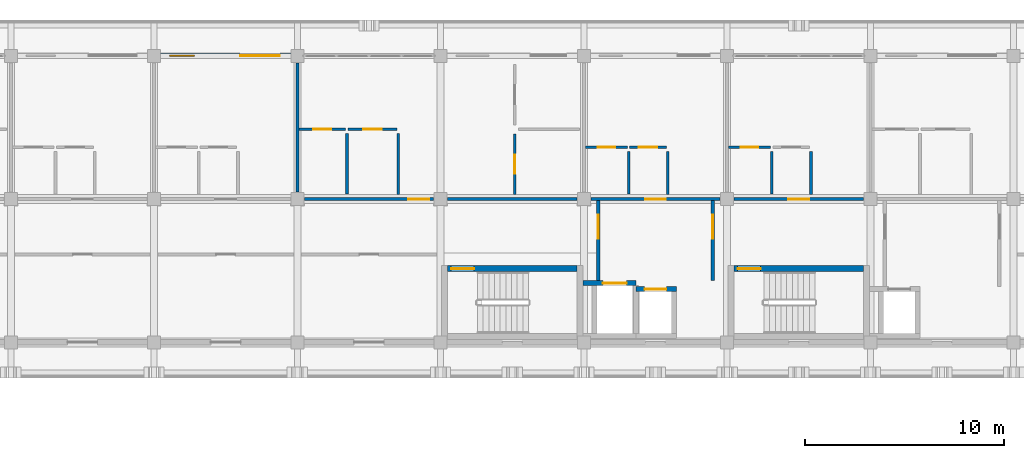
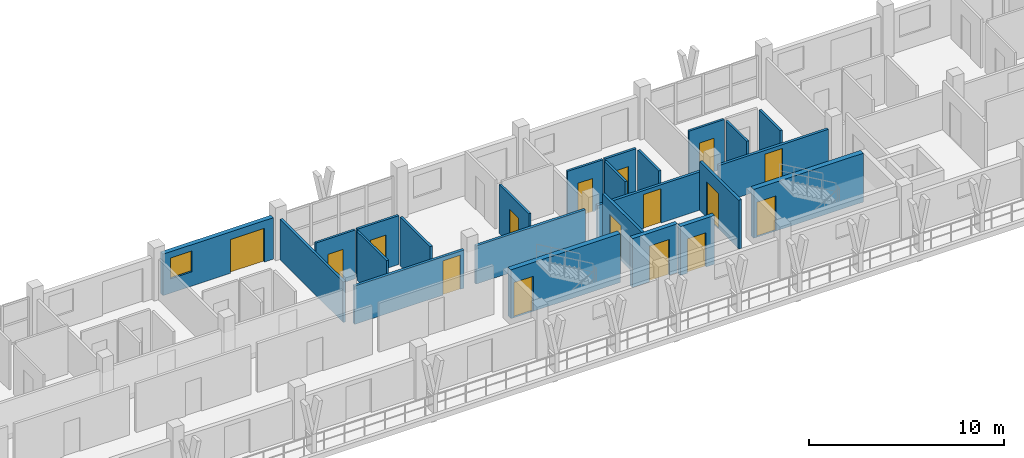
# One storey, part 44 of 75: 24 walls, 16 doors, 1 window, 17 openings.
"""IFC4 building model written with IfcOpenShell, lengths in metres."""

import ifcopenshell
import ifcopenshell.guid

model = None  # the IFC model being written
_history = None  # IfcOwnerHistory: only IFC2X3 demands one
_inside = {}  # id of a spatial element -> (the spatial element, [elements in it])
_under = {}  # id of a project, library or spatial element -> (it, [spatial elements below it])
_declared = {}  # id of a project -> (the project, [libraries it declares])
_typed = {}  # id of a type object -> (the type object, [elements of that type])
_made_of = {}  # id of a material, layer set ... -> (it, [elements and type objects made of it])


def new_model(schema):
    """Start an empty IFC model of exactly this schema.

    Asked for "IFC4X3", IfcOpenShell would pick the latest addendum, in which some entities
    have other attributes; the version numbers below select the first issue.
    IFC2X3 requires an IfcOwnerHistory on every rooted entity: one is made here for all.
    """
    global model, _history
    if schema == "IFC4X3":
        model = ifcopenshell.file(schema_version=(4, 3, 0, 0))
    else:
        model = ifcopenshell.file(schema=schema)
    _inside.clear()
    _under.clear()
    _declared.clear()
    _typed.clear()
    _made_of.clear()
    _history = None
    if model.schema == "IFC2X3":
        org = make("IfcOrganization", Name="unknown")
        user = make(
            "IfcPersonAndOrganization",
            ThePerson=make("IfcPerson", FamilyName="unknown"),
            TheOrganization=org,
        )
        app = make(
            "IfcApplication",
            ApplicationDeveloper=org,
            Version="unknown",
            ApplicationFullName="unknown",
            ApplicationIdentifier="unknown",
        )
        _history = make(
            "IfcOwnerHistory",
            OwningUser=user,
            OwningApplication=app,
            ChangeAction="ADDED",
            CreationDate=0,
        )
    return model


def make(cls, **values):
    """One entity of the class cls with the attributes given. An attribute that is None is left unset."""
    return model.create_entity(
        cls, **{name: value for name, value in values.items() if value is not None}
    )


def rooted(cls, **values):
    """An entity with a GlobalId (a new one), such as an element, a storey or a relation."""
    return make(cls, GlobalId=ifcopenshell.guid.new(), OwnerHistory=_history, **values)


def si_unit(unit_type, name, prefix=None):
    """IfcSIUnit, for example si_unit("LENGTHUNIT", "METRE", prefix="MILLI")."""
    return make("IfcSIUnit", UnitType=unit_type, Prefix=prefix, Name=name)


def assignment(units):
    """IfcUnitAssignment: the units of a project."""
    return None if units is None else make("IfcUnitAssignment", Units=units)


def point(xyz):
    """IfcCartesianPoint."""
    return None if xyz is None else make("IfcCartesianPoint", Coordinates=xyz)


def direction(xyz):
    """IfcDirection."""
    return None if xyz is None else make("IfcDirection", DirectionRatios=xyz)


def frame(location, z_axis=None, x_axis=None):
    """IfcAxis2Placement3D, a coordinate frame: its origin and axes. An axis left out is left unset."""
    return make(
        "IfcAxis2Placement3D",
        Location=point(location),
        Axis=direction(z_axis),
        RefDirection=direction(x_axis),
    )


def frame_2d(location, x_axis=None):
    """IfcAxis2Placement2D, a coordinate frame in the plane: its origin and x axis."""
    return make(
        "IfcAxis2Placement2D", Location=point(location), RefDirection=direction(x_axis)
    )


def origin():
    """The frame at (0, 0, 0) with its axes left unset."""
    return frame((0.0, 0.0, 0.0))


def place(relative_to, where):
    """IfcLocalPlacement: puts the frame where relative to a parent placement (None: the world)."""
    return make(
        "IfcLocalPlacement", PlacementRelTo=relative_to, RelativePlacement=where
    )


def context(
    kind, dimensions, precision=None, world=None, true_north=None, identifier=None
):
    """IfcGeometricRepresentationContext, for example the 3D "Model" context."""
    return make(
        "IfcGeometricRepresentationContext",
        ContextIdentifier=identifier,
        ContextType=kind,
        CoordinateSpaceDimension=dimensions,
        Precision=precision,
        WorldCoordinateSystem=world,
        TrueNorth=true_north,
    )


def subcontext(parent, identifier, kind, view, scale=None):
    """IfcGeometricRepresentationSubContext, for example "Body" below "Model"."""
    return make(
        "IfcGeometricRepresentationSubContext",
        ContextIdentifier=identifier,
        ContextType=kind,
        ParentContext=parent,
        TargetScale=scale,
        TargetView=view,
    )


def project(units=None, contexts=None):
    """IfcProject with its units and contexts."""
    return rooted(
        "IfcProject",
        Name="project",
        RepresentationContexts=contexts,
        UnitsInContext=assignment(units),
    )


def spatial(cls, under=None, at=None, **own):
    """A site, building, storey or space (cls), placed at a placement, below another one or the project."""
    s = rooted(cls, ObjectPlacement=at, **own)
    if under is not None:
        _under.setdefault(under.id(), (under, []))[1].append(s)
    return s


def profile(cls, at=None, kind="AREA", **sizes):
    """A parametric profile (cls). Its sizes go by their IFC names, for example OverallWidth=200.0."""
    return make(cls, ProfileType=kind, Position=at, **sizes)


def rectangle(**sizes):
    """IfcRectangleProfileDef."""
    return profile("IfcRectangleProfileDef", **sizes)


def extrude(swept, where, along, depth):
    """IfcExtrudedAreaSolid: the profile swept, set in the frame where, extruded along a direction by depth."""
    return make(
        "IfcExtrudedAreaSolid",
        SweptArea=swept,
        Position=where,
        ExtrudedDirection=direction(along),
        Depth=depth,
    )


def shape(context_of_items, identifier, shape_type, items):
    """IfcShapeRepresentation: the items that make up one representation, for example the "Body"."""
    return make(
        "IfcShapeRepresentation",
        ContextOfItems=context_of_items,
        RepresentationIdentifier=identifier,
        RepresentationType=shape_type,
        Items=items,
    )


def material(Name=None, Category=None):
    """IfcMaterial."""
    return make("IfcMaterial", Name=Name, Category=Category)


def layer(
    of_material, thickness, ventilated=None, Name=None, Category=None, Priority=None
):
    """IfcMaterialLayer: one layer of a wall or slab, of a material (None: an air gap)."""
    return make(
        "IfcMaterialLayer",
        Material=of_material,
        LayerThickness=thickness,
        IsVentilated=ventilated,
        Name=Name,
        Category=Category,
        Priority=Priority,
    )


def layer_set(layers, Name=None):
    """IfcMaterialLayerSet."""
    return make("IfcMaterialLayerSet", MaterialLayers=layers, LayerSetName=Name)


def made_of(thing, what):
    """Note that an element or type object is made of a material, layer set ...; save() writes the relation."""
    if what is not None:
        _made_of.setdefault(what.id(), (what, []))[1].append(thing)
    return thing


def type_object(cls, material=None, **own):
    """A type object (cls), such as IfcWallType, which elements share."""
    return made_of(rooted(cls, **own), material)


def element(
    cls,
    number,
    at=None,
    inside=None,
    cuts=None,
    type_object=None,
    material=None,
    context=None,
    identifier="Body",
    shape_type=None,
    held_by="IfcProductDefinitionShape",
    body=None,
    shapes=None,
    **own,
):
    """One element of the class cls, such as IfcWall. Its Tag is "e" and its number.

    at: its placement. inside: the storey or other place that contains it. cuts: it is an
    opening in that element (IfcRelVoidsElement). A single representation is given by context,
    identifier, shape_type and body (its items); several are given by shapes. held_by: the class
    of the entity that holds the representations. save() writes the other relations.
    """
    e = rooted(cls, Tag="e%d" % number, ObjectPlacement=at, **own)
    if body is not None:
        shapes = [shape(context, identifier, shape_type, body)]
    if shapes is not None:
        e.Representation = make(held_by, Representations=shapes)
    if inside is not None:
        _inside.setdefault(inside.id(), (inside, []))[1].append(e)
    if cuts is not None:
        rooted(
            "IfcRelVoidsElement", RelatingBuildingElement=cuts, RelatedOpeningElement=e
        )
    if type_object is not None:
        _typed.setdefault(type_object.id(), (type_object, []))[1].append(e)
    return made_of(e, material)


def fill(opening, filler):
    """IfcRelFillsElement: the door or window that sits in an opening."""
    return rooted(
        "IfcRelFillsElement",
        RelatingOpeningElement=opening,
        RelatedBuildingElement=filler,
    )


def aggregate(whole, parts):
    """IfcRelAggregates: a whole, such as a stair, and the parts it consists of."""
    return rooted("IfcRelAggregates", RelatingObject=whole, RelatedObjects=parts)


def save(model, path):
    """Write the relations noted so far, then the file.

    IfcRelAggregates (storeys below a building ...), IfcRelContainedInSpatialStructure (elements
    in a storey), IfcRelDefinesByType, IfcRelAssociatesMaterial and IfcRelDeclares: one each for
    every whole, place, type object, material and project.
    """
    for whole, parts in _under.values():
        aggregate(whole, parts)
    for where, things in _inside.values():
        rooted(
            "IfcRelContainedInSpatialStructure",
            RelatedElements=things,
            RelatingStructure=where,
        )
    for kind, things in _typed.values():
        rooted("IfcRelDefinesByType", RelatedObjects=things, RelatingType=kind)
    for what, things in _made_of.values():
        rooted("IfcRelAssociatesMaterial", RelatedObjects=things, RelatingMaterial=what)
    for by, libraries in _declared.values():
        rooted("IfcRelDeclares", RelatingContext=by, RelatedDefinitions=libraries)
    model.write(path)


model = new_model("IFC4")

# Units and contexts
model_context = context("Model", 3, precision=1e-05, world=origin(), true_north=direction((0.0, 1.0)))
body_context = subcontext(model_context, "Body", "Model", "MODEL_VIEW")
ifc_project = project(units=[si_unit("LENGTHUNIT", "METRE"), si_unit("AREAUNIT", "SQUARE_METRE"), si_unit("VOLUMEUNIT", "CUBIC_METRE"), si_unit("PLANEANGLEUNIT", "RADIAN"), si_unit("MASSUNIT", "GRAM", prefix="KILO")], contexts=[model_context])

# Site, building, storey
site_placement = place(None, origin())
site = spatial("IfcSite", under=ifc_project, at=site_placement, CompositionType="ELEMENT")
building_placement = place(site_placement, origin())
building = spatial("IfcBuilding", under=site, at=building_placement, Name="Suanplinth Sawtooth Commons", CompositionType="ELEMENT")
storey_placement = place(building_placement, frame((0.0, 0.0, 18.60009765625)))
storey = spatial("IfcBuildingStorey", under=building, at=storey_placement, Name="L05", CompositionType="ELEMENT", Elevation=18.60009765625)

# Wall, opening, door
ifc_material_1 = material(Name="Concrete C40/50", Category="concrete")
ifc_layer_1 = layer(ifc_material_1, 0.300048828125, Name="Standard RC stair and lift core wall 300mm")
ifc_layer_set_1 = layer_set([ifc_layer_1], Name="Concrete C40/50")
wall_type_1 = type_object("IfcWallType", Name="W-CR02", PredefinedType="SHEAR", material=ifc_layer_set_1)
wall_1_placement = place(storey_placement, frame((43.550048828125, 111.699951171875, 0.0), z_axis=(0.0, 0.0, 1.0), x_axis=(1.0, 0.0, 0.0)))
wall_1 = element("IfcWall", 1, at=wall_1_placement, inside=storey, type_object=wall_type_1, Name="W-L05-C-A1-STN", PredefinedType="SHEAR", context=body_context, shape_type="SweptSolid", body=[
    extrude(rectangle(XDim=6.5, YDim=0.300048828125, at=frame_2d((3.25, 0.0))), origin(), (0.0, 0.0, 1.0), 3.059814453125),
])
opening_1_placement = place(wall_1_placement, frame((0.179931640625, 0.0, 0.0)))
opening_1 = element("IfcOpeningElement", 2, at=opening_1_placement, cuts=wall_1, Name="Opening FD0031", PredefinedType="OPENING", context=body_context, shape_type="SweptSolid", body=[
    extrude(rectangle(XDim=1.14990234375, YDim=2.199951171875, at=frame_2d((0.574951171875, 1.10009765625))), frame((0.0, 0.1650390625, 0.0), z_axis=(0.0, -1.0, 0.0), x_axis=(1.0, 0.0, 0.0)), (0.0, 0.0, 1.0), 0.329833984375),
])
ifc_material_2 = material(Name="Teak hardwood fire-rated door assembly", Category="wood")
door_type_1 = type_object("IfcDoorType", Name="FD-01", OperationType="NOTDEFINED", PredefinedType="DOOR", material=ifc_material_2)
door_1_placement = place(opening_1_placement, frame((1.14990234375, 0.0, 0.0), z_axis=(0.0, 0.0, 1.0), x_axis=(-1.0, 0.0, 0.0)))
door_1 = element("IfcDoor", 3, at=door_1_placement, inside=storey, type_object=door_type_1, Name="Exit Stair Fire Door FD0031", OperationType="SINGLE_SWING_RIGHT", OverallHeight=2.199951171875, OverallWidth=1.14990234375, PredefinedType="DOOR", context=body_context, shape_type="SweptSolid", body=[
    extrude(rectangle(XDim=1.14990234375, YDim=2.199951171875, at=frame_2d((0.574951171875, 1.10009765625))), frame((0.0, 0.02490234375, 0.0), z_axis=(0.0, -1.0, 0.0), x_axis=(1.0, 0.0, 0.0)), (0.0, 0.0, 1.0), 0.050048828125),
])
fill(opening_1, door_1)

wall_2_placement = place(storey_placement, frame((57.949951171875, 111.699951171875, 0.0), z_axis=(0.0, 0.0, 1.0), x_axis=(1.0, 0.0, 0.0)))
wall_2 = element("IfcWall", 4, at=wall_2_placement, inside=storey, type_object=wall_type_1, Name="W-L05-C-A2-STN", PredefinedType="SHEAR", context=body_context, shape_type="SweptSolid", body=[
    extrude(rectangle(XDim=6.5, YDim=0.300048828125, at=frame_2d((3.25, 0.0))), origin(), (0.0, 0.0, 1.0), 3.059814453125),
])
opening_2_placement = place(wall_2_placement, frame((0.179931640625, 0.0, 0.0)))
opening_2 = element("IfcOpeningElement", 5, at=opening_2_placement, cuts=wall_2, Name="Opening FD0110", PredefinedType="OPENING", context=body_context, shape_type="SweptSolid", body=[
    extrude(rectangle(XDim=1.14990234375, YDim=2.199951171875, at=frame_2d((0.574951171875, 1.10009765625))), frame((0.0, 0.1650390625, 0.0), z_axis=(0.0, -1.0, 0.0), x_axis=(1.0, 0.0, 0.0)), (0.0, 0.0, 1.0), 0.329833984375),
])
door_2_placement = place(opening_2_placement, frame((1.14990234375, 0.0, 0.0), z_axis=(0.0, 0.0, 1.0), x_axis=(-1.0, 0.0, 0.0)))
door_2 = element("IfcDoor", 6, at=door_2_placement, inside=storey, type_object=door_type_1, Name="Exit Stair Fire Door FD0110", OperationType="SINGLE_SWING_LEFT", OverallHeight=2.199951171875, OverallWidth=1.14990234375, PredefinedType="DOOR", context=body_context, shape_type="SweptSolid", body=[
    extrude(rectangle(XDim=1.14990234375, YDim=2.199951171875, at=frame_2d((0.574951171875, 1.10009765625))), frame((0.0, 0.02490234375, 0.0), z_axis=(0.0, -1.0, 0.0), x_axis=(1.0, 0.0, 0.0)), (0.0, 0.0, 1.0), 0.050048828125),
])
fill(opening_2, door_2)

# Wall, openings, door, window
ifc_material_3 = material(Name="Precast concrete C40/50", Category="concrete")
ifc_layer_2 = layer(ifc_material_3, 0.260009765625, Name="Insulated precast courtyard facade wall 260mm")
ifc_layer_set_2 = layer_set([ifc_layer_2], Name="Precast concrete C40/50")
wall_type_2 = type_object("IfcWallType", Name="W-EX02", PredefinedType="ELEMENTEDWALL", material=ifc_layer_set_2)
wall_3_placement = place(storey_placement, frame((29.125, 122.39990234375, 0.0), z_axis=(0.0, 0.0, 1.0), x_axis=(1.0, 0.0, 0.0)))
wall_3 = element("IfcWall", 7, at=wall_3_placement, inside=storey, type_object=wall_type_2, Name="Facade Wall W-L05-A-N-4", PredefinedType="ELEMENTEDWALL", context=body_context, shape_type="SweptSolid", body=[
    extrude(rectangle(XDim=6.550048828125, YDim=0.260009765625, at=frame_2d((3.27490234375, 0.0))), origin(), (0.0, 0.0, 1.0), 2.594970703125),
])
opening_3_placement = place(wall_3_placement, frame((4.0, 0.0, 0.0)))
opening_3 = element("IfcOpeningElement", 8, at=opening_3_placement, cuts=wall_3, Name="Opening ED0402", PredefinedType="OPENING", context=body_context, shape_type="SweptSolid", body=[
    extrude(rectangle(XDim=2.0, YDim=2.1201171875, at=frame_2d((1.0, 1.06005859375))), frame((0.0, 0.14501953125, 0.0), z_axis=(0.0, -1.0, 0.0), x_axis=(1.0, 0.0, 0.0)), (0.0, 0.0, 1.0), 0.289794921875),
])
opening_4_placement = place(wall_3_placement, frame((0.449951171875, 0.0, 0.89990234375)))
opening_4 = element("IfcOpeningElement", 9, at=opening_4_placement, cuts=wall_3, Name="Opening W0495", PredefinedType="OPENING", context=body_context, shape_type="SweptSolid", body=[
    extrude(rectangle(XDim=1.25, YDim=1.300048828125, at=frame_2d((0.625, 0.64990234375))), frame((0.0, 0.14501953125, 0.0), z_axis=(0.0, -1.0, 0.0), x_axis=(1.0, 0.0, 0.0)), (0.0, 0.0, 1.0), 0.289794921875),
])
ifc_material_4 = material(Name="Anodized aluminium and low-E glass", Category="aluminium")
door_type_2 = type_object("IfcDoorType", Name="SD-06", OperationType="DOUBLE_DOOR_SLIDING", PredefinedType="DOOR", material=ifc_material_4)
door_3_placement = place(opening_3_placement, frame((2.0, 0.0, 0.0), z_axis=(0.0, 0.0, 1.0), x_axis=(-1.0, 0.0, 0.0)))
door_3 = element("IfcDoor", 10, at=door_3_placement, inside=storey, type_object=door_type_2, Name="Balcony Sliding Door L05-A-N-4", OperationType="DOUBLE_DOOR_SLIDING", OverallHeight=2.1201171875, OverallWidth=2.0, PredefinedType="DOOR", context=body_context, shape_type="SweptSolid", body=[
    extrude(rectangle(XDim=2.0, YDim=2.1201171875, at=frame_2d((1.0, 1.06005859375))), frame((0.0, 0.02490234375, 0.0), z_axis=(0.0, -1.0, 0.0), x_axis=(1.0, 0.0, 0.0)), (0.0, 0.0, 1.0), 0.050048828125),
])
fill(opening_3, door_3)
ifc_material_5 = material(Name="Thermally broken aluminium and low-E double glazing", Category="aluminium")
window_type = type_object("IfcWindowType", Name="WN-17", PartitioningType="SINGLE_PANEL", PredefinedType="WINDOW", material=ifc_material_5)
window_placement = place(opening_4_placement, origin())
window = element("IfcWindow", 11, at=window_placement, inside=storey, type_object=window_type, Name="Window L05-A-N-4", OverallHeight=1.300048828125, OverallWidth=1.25, PartitioningType="SINGLE_PANEL", PredefinedType="WINDOW", context=body_context, shape_type="SweptSolid", body=[
    extrude(rectangle(XDim=1.25, YDim=1.300048828125, at=frame_2d((0.625, 0.64990234375))), frame((0.0, 0.030029296875, 0.0), z_axis=(0.0, -1.0, 0.0), x_axis=(1.0, 0.0, 0.0)), (0.0, 0.0, 1.0), 0.06005859375),
])
fill(opening_4, window)

# Wall, opening, door
ifc_layer_3 = layer(ifc_material_3, 0.159912109375, Name="Fire-rated corridor and lobby wall 160mm")
ifc_layer_set_3 = layer_set([ifc_layer_3], Name="Precast concrete C40/50")
wall_type_3 = type_object("IfcWallType", Name="W-FW01", PredefinedType="PARTITIONING", material=ifc_layer_set_3)
wall_4_placement = place(storey_placement, frame((51.1201171875, 111.10009765625, 0.0), z_axis=(0.0, 0.0, 1.0), x_axis=(0.0, 1.0, 0.0)))
wall_4 = element("IfcWall", 12, at=wall_4_placement, inside=storey, type_object=wall_type_3, Name="W-L05-C-A1-LOB-W", PredefinedType="PARTITIONING", context=body_context, shape_type="SweptSolid", body=[
    extrude(rectangle(XDim=4.02001953125, YDim=0.159912109375, at=frame_2d((2.010009765625, 0.0))), origin(), (0.0, 0.0, 1.0), 3.059814453125),
])
opening_5_placement = place(wall_4_placement, frame((2.10009765625, 0.0, 0.0)))
opening_5 = element("IfcOpeningElement", 13, at=opening_5_placement, cuts=wall_4, Name="Opening FD0032", PredefinedType="OPENING", context=body_context, shape_type="SweptSolid", body=[
    extrude(rectangle(XDim=1.199951171875, YDim=2.199951171875, at=frame_2d((0.60009765625, 1.10009765625))), frame((0.0, 0.0947265625, 0.0), z_axis=(0.0, -1.0, 0.0), x_axis=(1.0, 0.0, 0.0)), (0.0, 0.0, 1.0), 0.189697265625),
])
door_type_3 = type_object("IfcDoorType", Name="FD-02", OperationType="NOTDEFINED", PredefinedType="DOOR", material=ifc_material_2)
door_4_placement = place(opening_5_placement, origin())
door_4 = element("IfcDoor", 14, at=door_4_placement, inside=storey, type_object=door_type_3, Name="Lobby Fire Door FD0032", OperationType="SINGLE_SWING_LEFT", OverallHeight=2.199951171875, OverallWidth=1.199951171875, PredefinedType="DOOR", context=body_context, shape_type="SweptSolid", body=[
    extrude(rectangle(XDim=1.199951171875, YDim=2.199951171875, at=frame_2d((0.60009765625, 1.10009765625))), frame((0.0, 0.02490234375, 0.0), z_axis=(0.0, -1.0, 0.0), x_axis=(1.0, 0.0, 0.0)), (0.0, 0.0, 1.0), 0.050048828125),
])
fill(opening_5, door_4)

wall_5_placement = place(storey_placement, frame((56.8798828125, 111.10009765625, 0.0), z_axis=(0.0, 0.0, 1.0), x_axis=(0.0, 1.0, 0.0)))
wall_5 = element("IfcWall", 15, at=wall_5_placement, inside=storey, type_object=wall_type_3, Name="W-L05-C-A1-LOB-E", PredefinedType="PARTITIONING", context=body_context, shape_type="SweptSolid", body=[
    extrude(rectangle(XDim=4.02001953125, YDim=0.159912109375, at=frame_2d((2.010009765625, 0.0))), origin(), (0.0, 0.0, 1.0), 3.059814453125),
])
opening_6_placement = place(wall_5_placement, frame((2.10009765625, 0.0, 0.0)))
opening_6 = element("IfcOpeningElement", 16, at=opening_6_placement, cuts=wall_5, Name="Opening FD0033", PredefinedType="OPENING", context=body_context, shape_type="SweptSolid", body=[
    extrude(rectangle(XDim=1.199951171875, YDim=2.199951171875, at=frame_2d((0.60009765625, 1.10009765625))), frame((0.0, 0.0947265625, 0.0), z_axis=(0.0, -1.0, 0.0), x_axis=(1.0, 0.0, 0.0)), (0.0, 0.0, 1.0), 0.189697265625),
])
door_5_placement = place(opening_6_placement, frame((1.199951171875, 0.0, 0.0), z_axis=(0.0, 0.0, 1.0), x_axis=(-1.0, 0.0, 0.0)))
door_5 = element("IfcDoor", 17, at=door_5_placement, inside=storey, type_object=door_type_3, Name="Lobby Fire Door FD0033", OperationType="SINGLE_SWING_RIGHT", OverallHeight=2.199951171875, OverallWidth=1.199951171875, PredefinedType="DOOR", context=body_context, shape_type="SweptSolid", body=[
    extrude(rectangle(XDim=1.199951171875, YDim=2.199951171875, at=frame_2d((0.60009765625, 1.10009765625))), frame((0.0, 0.02490234375, 0.0), z_axis=(0.0, -1.0, 0.0), x_axis=(1.0, 0.0, 0.0)), (0.0, 0.0, 1.0), 0.050048828125),
])
fill(opening_6, door_5)

wall_6_placement = place(storey_placement, frame((36.35498046875, 115.199951171875, 0.0), z_axis=(0.0, 0.0, 1.0), x_axis=(1.0, 0.0, 0.0)))
wall_6 = element("IfcWall", 18, at=wall_6_placement, inside=storey, type_object=wall_type_3, Name="W-A-L05-U04-COR-S1", PredefinedType="PARTITIONING", context=body_context, shape_type="SweptSolid", body=[
    extrude(rectangle(XDim=6.489990234375, YDim=0.159912109375, at=frame_2d((3.2451171875, 0.0))), origin(), (0.0, 0.0, 1.0), 2.39501953125),
])
opening_7_placement = place(wall_6_placement, frame((5.219970703125, 0.0, 0.0)))
opening_7 = element("IfcOpeningElement", 19, at=opening_7_placement, cuts=wall_6, Name="Opening FD1208", PredefinedType="OPENING", context=body_context, shape_type="SweptSolid", body=[
    extrude(rectangle(XDim=1.050048828125, YDim=2.14990234375, at=frame_2d((0.52490234375, 1.074951171875))), frame((0.0, 0.0947265625, 0.0), z_axis=(0.0, -1.0, 0.0), x_axis=(1.0, 0.0, 0.0)), (0.0, 0.0, 1.0), 0.189697265625),
])
door_type_4 = type_object("IfcDoorType", Name="FD-04", OperationType="NOTDEFINED", PredefinedType="DOOR", material=ifc_material_2)
door_6_placement = place(opening_7_placement, origin())
door_6 = element("IfcDoor", 20, at=door_6_placement, inside=storey, type_object=door_type_4, Name="Unit Entrance Door FD1208", OperationType="SINGLE_SWING_RIGHT", OverallHeight=2.14990234375, OverallWidth=1.050048828125, PredefinedType="DOOR", context=body_context, shape_type="SweptSolid", body=[
    extrude(rectangle(XDim=1.050048828125, YDim=2.14990234375, at=frame_2d((0.52490234375, 1.074951171875))), frame((0.0, 0.02490234375, 0.0), z_axis=(0.0, -1.0, 0.0), x_axis=(1.0, 0.0, 0.0)), (0.0, 0.0, 1.0), 0.050048828125),
])
fill(opening_7, door_6)

# Wall
wall_7_placement = place(storey_placement, frame((43.554931640625, 115.199951171875, 0.0), z_axis=(0.0, 0.0, 1.0), x_axis=(1.0, 0.0, 0.0)))
element("IfcWall", 21, at=wall_7_placement, inside=storey, type_object=wall_type_3, Name="W-A-L05-U04-COR-S2", PredefinedType="PARTITIONING", context=body_context, shape_type="SweptSolid", body=[
    extrude(rectangle(XDim=6.489990234375, YDim=0.159912109375, at=frame_2d((3.2451171875, 0.0))), origin(), (0.0, 0.0, 1.0), 2.39501953125),
])

# Wall, opening, door
wall_8_placement = place(storey_placement, frame((50.7548828125, 115.199951171875, 0.0), z_axis=(0.0, 0.0, 1.0), x_axis=(1.0, 0.0, 0.0)))
wall_8 = element("IfcWall", 22, at=wall_8_placement, inside=storey, type_object=wall_type_3, Name="W-A-L05-U05-COR", PredefinedType="PARTITIONING", context=body_context, shape_type="SweptSolid", body=[
    extrude(rectangle(XDim=6.490234375, YDim=0.159912109375, at=frame_2d((3.2451171875, 0.0))), origin(), (0.0, 0.0, 1.0), 2.39501953125),
])
opening_8_placement = place(wall_8_placement, frame((2.719970703125, 0.0, 0.0)))
opening_8 = element("IfcOpeningElement", 23, at=opening_8_placement, cuts=wall_8, Name="Opening FD1213", PredefinedType="OPENING", context=body_context, shape_type="SweptSolid", body=[
    extrude(rectangle(XDim=1.050048828125, YDim=2.14990234375, at=frame_2d((0.52490234375, 1.074951171875))), frame((0.0, 0.0947265625, 0.0), z_axis=(0.0, -1.0, 0.0), x_axis=(1.0, 0.0, 0.0)), (0.0, 0.0, 1.0), 0.189697265625),
])
door_7_placement = place(opening_8_placement, origin())
door_7 = element("IfcDoor", 24, at=door_7_placement, inside=storey, type_object=door_type_4, Name="Unit Entrance Door FD1213", OperationType="SINGLE_SWING_LEFT", OverallHeight=2.14990234375, OverallWidth=1.050048828125, PredefinedType="DOOR", context=body_context, shape_type="SweptSolid", body=[
    extrude(rectangle(XDim=1.050048828125, YDim=2.14990234375, at=frame_2d((0.52490234375, 1.074951171875))), frame((0.0, 0.02490234375, 0.0), z_axis=(0.0, -1.0, 0.0), x_axis=(1.0, 0.0, 0.0)), (0.0, 0.0, 1.0), 0.050048828125),
])
fill(opening_8, door_7)

wall_9_placement = place(storey_placement, frame((57.955078125, 115.199951171875, 0.0), z_axis=(0.0, 0.0, 1.0), x_axis=(1.0, 0.0, 0.0)))
wall_9 = element("IfcWall", 25, at=wall_9_placement, inside=storey, type_object=wall_type_3, Name="W-A-L05-U06-COR", PredefinedType="PARTITIONING", context=body_context, shape_type="SweptSolid", body=[
    extrude(rectangle(XDim=6.489990234375, YDim=0.159912109375, at=frame_2d((3.2451171875, 0.0))), origin(), (0.0, 0.0, 1.0), 2.39501953125),
])
opening_9_placement = place(wall_9_placement, frame((2.719970703125, 0.0, 0.0)))
opening_9 = element("IfcOpeningElement", 26, at=opening_9_placement, cuts=wall_9, Name="Opening FD1216", PredefinedType="OPENING", context=body_context, shape_type="SweptSolid", body=[
    extrude(rectangle(XDim=1.050048828125, YDim=2.14990234375, at=frame_2d((0.52490234375, 1.074951171875))), frame((0.0, 0.0947265625, 0.0), z_axis=(0.0, -1.0, 0.0), x_axis=(1.0, 0.0, 0.0)), (0.0, 0.0, 1.0), 0.189697265625),
])
door_8_placement = place(opening_9_placement, origin())
door_8 = element("IfcDoor", 27, at=door_8_placement, inside=storey, type_object=door_type_4, Name="Unit Entrance Door FD1216", OperationType="SINGLE_SWING_RIGHT", OverallHeight=2.14990234375, OverallWidth=1.050048828125, PredefinedType="DOOR", context=body_context, shape_type="SweptSolid", body=[
    extrude(rectangle(XDim=1.050048828125, YDim=2.14990234375, at=frame_2d((0.52490234375, 1.074951171875))), frame((0.0, 0.02490234375, 0.0), z_axis=(0.0, -1.0, 0.0), x_axis=(1.0, 0.0, 0.0)), (0.0, 0.0, 1.0), 0.050048828125),
])
fill(opening_9, door_8)

# Wall
ifc_layer_4 = layer(ifc_material_3, 0.14990234375, Name="Acoustic precast party demising wall 150mm")
ifc_layer_set_4 = layer_set([ifc_layer_4], Name="Precast concrete C40/50")
wall_type_4 = type_object("IfcWallType", Name="W-FW02", PredefinedType="PARTITIONING", material=ifc_layer_set_4)
wall_10_placement = place(storey_placement, frame((36.0, 115.554931640625, 0.0), z_axis=(0.0, 0.0, 1.0), x_axis=(0.0, 1.0, 0.0)))
element("IfcWall", 28, at=wall_10_placement, inside=storey, type_object=wall_type_4, Name="W-A-L05-U03-PTY", PredefinedType="PARTITIONING", context=body_context, shape_type="SweptSolid", body=[
    extrude(rectangle(XDim=6.489990234375, YDim=0.14990234375, at=frame_2d((3.2451171875, 0.0))), origin(), (0.0, 0.0, 1.0), 2.544921875),
])

# Wall, opening, door
ifc_material_6 = material(Name="Gypsum plasterboard on steel stud", Category="steel")
ifc_layer_5 = layer(ifc_material_6, 0.139892578125, Name="Fire-rated kitchen partition 140mm")
ifc_layer_set_5 = layer_set([ifc_layer_5], Name="Gypsum plasterboard on steel stud")
wall_type_5 = type_object("IfcWallType", Name="W-PT01", PredefinedType="PARTITIONING", material=ifc_layer_set_5)
wall_11_placement = place(storey_placement, frame((38.550048828125, 118.7099609375, 0.0), z_axis=(0.0, 0.0, 1.0), x_axis=(1.0, 0.0, 0.0)))
wall_11 = element("IfcWall", 29, at=wall_11_placement, inside=storey, type_object=wall_type_5, Name="W-A-L05-U04-KIT1", PredefinedType="PARTITIONING", context=body_context, shape_type="SweptSolid", body=[
    extrude(rectangle(XDim=2.449951171875, YDim=0.139892578125, at=frame_2d((1.22509765625, 0.0))), origin(), (0.0, 0.0, 1.0), 3.059814453125),
])
opening_10_placement = place(wall_11_placement, frame((0.764892578125, 0.0, 0.0)))
opening_10 = element("IfcOpeningElement", 30, at=opening_10_placement, cuts=wall_11, Name="Opening D1210", PredefinedType="OPENING", context=body_context, shape_type="SweptSolid", body=[
    extrude(rectangle(XDim=0.919921875, YDim=2.10009765625, at=frame_2d((0.4599609375, 1.050048828125))), frame((0.0, 0.0849609375, 0.0), z_axis=(0.0, -1.0, 0.0), x_axis=(1.0, 0.0, 0.0)), (0.0, 0.0, 1.0), 0.169677734375),
])
ifc_material_7 = material(Name="Teak hardwood", Category="wood")
door_type_5 = type_object("IfcDoorType", Name="D-02", OperationType="NOTDEFINED", PredefinedType="DOOR", material=ifc_material_7)
door_9_placement = place(opening_10_placement, frame((0.919921875, 0.0, 0.0), z_axis=(0.0, 0.0, 1.0), x_axis=(-1.0, 0.0, 0.0)))
door_9 = element("IfcDoor", 31, at=door_9_placement, inside=storey, type_object=door_type_5, Name="Kitchen Door D1210", OperationType="SINGLE_SWING_RIGHT", OverallHeight=2.10009765625, OverallWidth=0.919921875, PredefinedType="DOOR", context=body_context, shape_type="SweptSolid", body=[
    extrude(rectangle(XDim=0.919921875, YDim=2.10009765625, at=frame_2d((0.4599609375, 1.050048828125))), frame((0.0, 0.02490234375, 0.0), z_axis=(0.0, -1.0, 0.0), x_axis=(1.0, 0.0, 0.0)), (0.0, 0.0, 1.0), 0.050048828125),
])
fill(opening_10, door_9)

# Wall
wall_12_placement = place(storey_placement, frame((41.070068359375, 115.429931640625, 0.0), z_axis=(0.0, 0.0, 1.0), x_axis=(0.0, 1.0, 0.0)))
element("IfcWall", 32, at=wall_12_placement, inside=storey, type_object=wall_type_5, Name="W-A-L05-U04-KIT2", PredefinedType="PARTITIONING", context=body_context, shape_type="SweptSolid", body=[
    extrude(rectangle(XDim=3.06005859375, YDim=0.139892578125, at=frame_2d((1.530029296875, 0.0))), origin(), (0.0, 0.0, 1.0), 3.059814453125),
])

# Wall, opening, door
wall_13_placement = place(storey_placement, frame((52.699951171875, 117.800048828125, 0.0), z_axis=(0.0, 0.0, 1.0), x_axis=(1.0, 0.0, 0.0)))
wall_13 = element("IfcWall", 33, at=wall_13_placement, inside=storey, type_object=wall_type_5, Name="W-A-L05-U05-KIT1", PredefinedType="PARTITIONING", context=body_context, shape_type="SweptSolid", body=[
    extrude(rectangle(XDim=1.85009765625, YDim=0.139892578125, at=frame_2d((0.925048828125, 0.0))), origin(), (0.0, 0.0, 1.0), 3.059814453125),
])
opening_11_placement = place(wall_13_placement, frame((0.465087890625, 0.0, 0.0)))
opening_11 = element("IfcOpeningElement", 34, at=opening_11_placement, cuts=wall_13, Name="Opening D1215", PredefinedType="OPENING", context=body_context, shape_type="SweptSolid", body=[
    extrude(rectangle(XDim=0.919921875, YDim=2.10009765625, at=frame_2d((0.4599609375, 1.050048828125))), frame((0.0, 0.0849609375, 0.0), z_axis=(0.0, -1.0, 0.0), x_axis=(1.0, 0.0, 0.0)), (0.0, 0.0, 1.0), 0.169677734375),
])
door_10_placement = place(opening_11_placement, frame((0.919921875, 0.0, 0.0), z_axis=(0.0, 0.0, 1.0), x_axis=(-1.0, 0.0, 0.0)))
door_10 = element("IfcDoor", 35, at=door_10_placement, inside=storey, type_object=door_type_5, Name="Kitchen Door D1215", OperationType="SINGLE_SWING_LEFT", OverallHeight=2.10009765625, OverallWidth=0.919921875, PredefinedType="DOOR", context=body_context, shape_type="SweptSolid", body=[
    extrude(rectangle(XDim=0.919921875, YDim=2.10009765625, at=frame_2d((0.4599609375, 1.050048828125))), frame((0.0, 0.02490234375, 0.0), z_axis=(0.0, -1.0, 0.0), x_axis=(1.0, 0.0, 0.0)), (0.0, 0.0, 1.0), 0.050048828125),
])
fill(opening_11, door_10)

# Walls
for number, where, z_axis, x_axis, name in (
    (36, (54.6201171875, 115.429931640625, 0.0), (0.0, 0.0, 1.0), (0.0, 1.0, 0.0), "W-A-L05-U05-KIT2"),
    (37, (61.820068359375, 115.429931640625, 0.0), (0.0, 0.0, 1.0), (0.0, 1.0, 0.0), "W-A-L05-U06-KIT2"),
):
    element("IfcWall", number, at=place(storey_placement, frame(where, z_axis=z_axis, x_axis=x_axis)), inside=storey, type_object=wall_type_5, Name=name, PredefinedType="PARTITIONING", context=body_context, shape_type="SweptSolid", body=[
        extrude(rectangle(XDim=2.150146484375, YDim=0.139892578125, at=frame_2d((1.0751953125, 0.0))), origin(), (0.0, 0.0, 1.0), 3.059814453125),
    ])

# Wall, opening, door
ifc_layer_6 = layer(ifc_material_6, 0.1298828125, Name="Moisture-resistant bathroom partition 130mm")
ifc_layer_set_6 = layer_set([ifc_layer_6], Name="Gypsum plasterboard on steel stud")
wall_type_6 = type_object("IfcWallType", Name="W-PT02", PredefinedType="PARTITIONING", material=ifc_layer_set_6)
wall_14_placement = place(storey_placement, frame((36.080078125, 118.705078125, 0.0), z_axis=(0.0, 0.0, 1.0), x_axis=(1.0, 0.0, 0.0)))
wall_14 = element("IfcWall", 38, at=wall_14_placement, inside=storey, type_object=wall_type_6, Name="W-A-L05-U04-BTH1", PredefinedType="PARTITIONING", context=body_context, shape_type="SweptSolid", body=[
    extrude(rectangle(XDim=2.349853515625, YDim=0.1298828125, at=frame_2d((1.1748046875, 0.0))), origin(), (0.0, 0.0, 1.0), 3.059814453125),
])
opening_12_placement = place(wall_14_placement, frame((0.72509765625, 0.0, 0.0)))
opening_12 = element("IfcOpeningElement", 39, at=opening_12_placement, cuts=wall_14, Name="Opening D1209", PredefinedType="OPENING", context=body_context, shape_type="SweptSolid", body=[
    extrude(rectangle(XDim=0.89990234375, YDim=2.10009765625, at=frame_2d((0.449951171875, 1.050048828125))), frame((0.0, 0.079833984375, 0.0), z_axis=(0.0, -1.0, 0.0), x_axis=(1.0, 0.0, 0.0)), (0.0, 0.0, 1.0), 0.15966796875),
])
door_type_6 = type_object("IfcDoorType", Name="D-01", OperationType="NOTDEFINED", PredefinedType="DOOR", material=ifc_material_7)
door_11_placement = place(opening_12_placement, frame((0.89990234375, 0.0, 0.0), z_axis=(0.0, 0.0, 1.0), x_axis=(-1.0, 0.0, 0.0)))
door_11 = element("IfcDoor", 40, at=door_11_placement, inside=storey, type_object=door_type_6, Name="Bathroom Door D1209", OperationType="SINGLE_SWING_LEFT", OverallHeight=2.10009765625, OverallWidth=0.89990234375, PredefinedType="DOOR", context=body_context, shape_type="SweptSolid", body=[
    extrude(rectangle(XDim=0.89990234375, YDim=2.10009765625, at=frame_2d((0.449951171875, 1.050048828125))), frame((0.0, 0.02490234375, 0.0), z_axis=(0.0, -1.0, 0.0), x_axis=(1.0, 0.0, 0.0)), (0.0, 0.0, 1.0), 0.050048828125),
])
fill(opening_12, door_11)

# Wall
wall_15_placement = place(storey_placement, frame((38.4951171875, 115.4599609375, 0.0), z_axis=(0.0, 0.0, 1.0), x_axis=(0.0, 1.0, 0.0)))
element("IfcWall", 41, at=wall_15_placement, inside=storey, type_object=wall_type_6, Name="W-A-L05-U04-BTH2", PredefinedType="PARTITIONING", context=body_context, shape_type="SweptSolid", body=[
    extrude(rectangle(XDim=3.0400390625, YDim=0.1298828125, at=frame_2d((1.52001953125, 0.0))), origin(), (0.0, 0.0, 1.0), 3.059814453125),
])

# Wall, opening, door
wall_16_placement = place(storey_placement, frame((50.47998046875, 117.794921875, 0.0), z_axis=(0.0, 0.0, 1.0), x_axis=(1.0, 0.0, 0.0)))
wall_16 = element("IfcWall", 42, at=wall_16_placement, inside=storey, type_object=wall_type_6, Name="W-A-L05-U05-BTH1", PredefinedType="PARTITIONING", context=body_context, shape_type="SweptSolid", body=[
    extrude(rectangle(XDim=2.10009765625, YDim=0.1298828125, at=frame_2d((1.050048828125, 0.0))), origin(), (0.0, 0.0, 1.0), 3.059814453125),
])
opening_13_placement = place(wall_16_placement, frame((0.610107421875, 0.0, 0.0)))
opening_13 = element("IfcOpeningElement", 43, at=opening_13_placement, cuts=wall_16, Name="Opening D1214", PredefinedType="OPENING", context=body_context, shape_type="SweptSolid", body=[
    extrude(rectangle(XDim=0.8798828125, YDim=2.10009765625, at=frame_2d((0.43994140625, 1.050048828125))), frame((0.0, 0.079833984375, 0.0), z_axis=(0.0, -1.0, 0.0), x_axis=(1.0, 0.0, 0.0)), (0.0, 0.0, 1.0), 0.15966796875),
])
door_type_7 = type_object("IfcDoorType", Name="D-14", OperationType="NOTDEFINED", PredefinedType="DOOR", material=ifc_material_7)
door_12_placement = place(opening_13_placement, frame((0.8798828125, 0.0, 0.0), z_axis=(0.0, 0.0, 1.0), x_axis=(-1.0, 0.0, 0.0)))
door_12 = element("IfcDoor", 44, at=door_12_placement, inside=storey, type_object=door_type_7, Name="Bathroom Door D1214", OperationType="SINGLE_SWING_RIGHT", OverallHeight=2.10009765625, OverallWidth=0.8798828125, PredefinedType="DOOR", context=body_context, shape_type="SweptSolid", body=[
    extrude(rectangle(XDim=0.8798828125, YDim=2.10009765625, at=frame_2d((0.43994140625, 1.050048828125))), frame((0.0, 0.02490234375, 0.0), z_axis=(0.0, -1.0, 0.0), x_axis=(1.0, 0.0, 0.0)), (0.0, 0.0, 1.0), 0.050048828125),
])
fill(opening_13, door_12)

# Wall
wall_17_placement = place(storey_placement, frame((52.64501953125, 115.4599609375, 0.0), z_axis=(0.0, 0.0, 1.0), x_axis=(0.0, 1.0, 0.0)))
element("IfcWall", 45, at=wall_17_placement, inside=storey, type_object=wall_type_6, Name="W-A-L05-U05-BTH2", PredefinedType="PARTITIONING", context=body_context, shape_type="SweptSolid", body=[
    extrude(rectangle(XDim=2.130126953125, YDim=0.1298828125, at=frame_2d((1.06494140625, 0.0))), origin(), (0.0, 0.0, 1.0), 3.059814453125),
])

# Wall, opening, door
wall_18_placement = place(storey_placement, frame((57.679931640625, 117.794921875, 0.0), z_axis=(0.0, 0.0, 1.0), x_axis=(1.0, 0.0, 0.0)))
wall_18 = element("IfcWall", 46, at=wall_18_placement, inside=storey, type_object=wall_type_6, Name="W-A-L05-U06-BTH1", PredefinedType="PARTITIONING", context=body_context, shape_type="SweptSolid", body=[
    extrude(rectangle(XDim=2.10009765625, YDim=0.1298828125, at=frame_2d((1.050048828125, 0.0))), origin(), (0.0, 0.0, 1.0), 3.059814453125),
])
opening_14_placement = place(wall_18_placement, frame((0.610107421875, 0.0, 0.0)))
opening_14 = element("IfcOpeningElement", 47, at=opening_14_placement, cuts=wall_18, Name="Opening D1217", PredefinedType="OPENING", context=body_context, shape_type="SweptSolid", body=[
    extrude(rectangle(XDim=0.8798828125, YDim=2.10009765625, at=frame_2d((0.43994140625, 1.050048828125))), frame((0.0, 0.079833984375, 0.0), z_axis=(0.0, -1.0, 0.0), x_axis=(1.0, 0.0, 0.0)), (0.0, 0.0, 1.0), 0.15966796875),
])
door_13_placement = place(opening_14_placement, frame((0.8798828125, 0.0, 0.0), z_axis=(0.0, 0.0, 1.0), x_axis=(-1.0, 0.0, 0.0)))
door_13 = element("IfcDoor", 48, at=door_13_placement, inside=storey, type_object=door_type_7, Name="Bathroom Door D1217", OperationType="SINGLE_SWING_LEFT", OverallHeight=2.10009765625, OverallWidth=0.8798828125, PredefinedType="DOOR", context=body_context, shape_type="SweptSolid", body=[
    extrude(rectangle(XDim=0.8798828125, YDim=2.10009765625, at=frame_2d((0.43994140625, 1.050048828125))), frame((0.0, 0.02490234375, 0.0), z_axis=(0.0, -1.0, 0.0), x_axis=(1.0, 0.0, 0.0)), (0.0, 0.0, 1.0), 0.050048828125),
])
fill(opening_14, door_13)

# Wall
wall_19_placement = place(storey_placement, frame((59.844970703125, 115.4599609375, 0.0), z_axis=(0.0, 0.0, 1.0), x_axis=(0.0, 1.0, 0.0)))
element("IfcWall", 49, at=wall_19_placement, inside=storey, type_object=wall_type_6, Name="W-A-L05-U06-BTH2", PredefinedType="PARTITIONING", context=body_context, shape_type="SweptSolid", body=[
    extrude(rectangle(XDim=2.130126953125, YDim=0.1298828125, at=frame_2d((1.06494140625, 0.0))), origin(), (0.0, 0.0, 1.0), 3.059814453125),
])

# Wall, opening, door
ifc_layer_7 = layer(ifc_material_6, 0.1201171875, Name="Acoustic bedroom partition 120mm")
ifc_layer_set_7 = layer_set([ifc_layer_7], Name="Gypsum plasterboard on steel stud")
wall_type_7 = type_object("IfcWallType", Name="W-PT03", PredefinedType="PARTITIONING", material=ifc_layer_set_7)
wall_20_placement = place(storey_placement, frame((46.919921875, 115.43994140625, 0.0), z_axis=(0.0, 0.0, 1.0), x_axis=(0.0, 1.0, 0.0)))
wall_20 = element("IfcWall", 50, at=wall_20_placement, inside=storey, type_object=wall_type_7, Name="W-A-L05-U04-BED2", PredefinedType="PARTITIONING", context=body_context, shape_type="SweptSolid", body=[
    extrude(rectangle(XDim=3.0400390625, YDim=0.1201171875, at=frame_2d((1.52001953125, 0.0))), origin(), (0.0, 0.0, 1.0), 3.059814453125),
])
opening_15_placement = place(wall_20_placement, frame((1.0400390625, 0.0, 0.0)))
opening_15 = element("IfcOpeningElement", 51, at=opening_15_placement, cuts=wall_20, Name="Opening D1212", PredefinedType="OPENING", context=body_context, shape_type="SweptSolid", body=[
    extrude(rectangle(XDim=0.9599609375, YDim=2.14990234375, at=frame_2d((0.47998046875, 1.074951171875))), frame((0.0, 0.074951171875, 0.0), z_axis=(0.0, -1.0, 0.0), x_axis=(1.0, 0.0, 0.0)), (0.0, 0.0, 1.0), 0.14990234375),
])
door_type_8 = type_object("IfcDoorType", Name="D-13", OperationType="NOTDEFINED", PredefinedType="DOOR", material=ifc_material_7)
door_14_placement = place(opening_15_placement, frame((0.9599609375, 0.0, 0.0), z_axis=(0.0, 0.0, 1.0), x_axis=(-1.0, 0.0, 0.0)))
door_14 = element("IfcDoor", 52, at=door_14_placement, inside=storey, type_object=door_type_8, Name="Second Bedroom Door D1212", OperationType="SINGLE_SWING_RIGHT", OverallHeight=2.14990234375, OverallWidth=0.9599609375, PredefinedType="DOOR", context=body_context, shape_type="SweptSolid", body=[
    extrude(rectangle(XDim=0.9599609375, YDim=2.14990234375, at=frame_2d((0.47998046875, 1.074951171875))), frame((0.0, 0.02490234375, 0.0), z_axis=(0.0, -1.0, 0.0), x_axis=(1.0, 0.0, 0.0)), (0.0, 0.0, 1.0), 0.050048828125),
])
fill(opening_15, door_14)

ifc_layer_8 = layer(ifc_material_3, 0.25, Name="Precast structural shear wall 250mm")
ifc_layer_set_8 = layer_set([ifc_layer_8], Name="Precast concrete C40/50")
wall_type_8 = type_object("IfcWallType", Name="W-SH01", PredefinedType="SHEAR", material=ifc_layer_set_8)
wall_21_placement = place(storey_placement, frame((50.35009765625, 110.97509765625, 0.0), z_axis=(0.0, 0.0, 1.0), x_axis=(1.0, 0.0, 0.0)))
wall_21 = element("IfcWall", 53, at=wall_21_placement, inside=storey, type_object=wall_type_8, Name="W-L05-FL1-N", PredefinedType="SHEAR", context=body_context, shape_type="SweptSolid", body=[
    extrude(rectangle(XDim=2.6748046875, YDim=0.25, at=frame_2d((1.33740234375, 0.0))), origin(), (0.0, 0.0, 1.0), 3.059814453125),
])
opening_16_placement = place(wall_21_placement, frame((1.0, 0.0, 0.0)))
opening_16 = element("IfcOpeningElement", 54, at=opening_16_placement, cuts=wall_21, Name="Opening LD0034", PredefinedType="OPENING", context=body_context, shape_type="SweptSolid", body=[
    extrude(rectangle(XDim=1.199951171875, YDim=2.25, at=frame_2d((0.60009765625, 1.125))), frame((0.0, 0.139892578125, 0.0), z_axis=(0.0, -1.0, 0.0), x_axis=(1.0, 0.0, 0.0)), (0.0, 0.0, 1.0), 0.27978515625),
])
ifc_material_8 = material(Name="Stainless steel Grade 304", Category="steel")
door_type_9 = type_object("IfcDoorType", Name="LD-02", OperationType="SLIDING_TO_LEFT", PredefinedType="DOOR", material=ifc_material_8)
door_15_placement = place(opening_16_placement, origin())
door_15 = element("IfcDoor", 55, at=door_15_placement, inside=storey, type_object=door_type_9, Name="Lift Landing Sliding Door FL1 L05", OperationType="SLIDING_TO_LEFT", OverallHeight=2.25, OverallWidth=1.199951171875, PredefinedType="DOOR", context=body_context, shape_type="SweptSolid", body=[
    extrude(rectangle(XDim=1.199951171875, YDim=2.25, at=frame_2d((0.60009765625, 1.125))), frame((0.0, 0.02490234375, 0.0), z_axis=(0.0, -1.0, 0.0), x_axis=(1.0, 0.0, 0.0)), (0.0, 0.0, 1.0), 0.050048828125),
])
fill(opening_16, door_15)

wall_22_placement = place(storey_placement, frame((53.02490234375, 110.675048828125, 0.0), z_axis=(0.0, 0.0, 1.0), x_axis=(1.0, 0.0, 0.0)))
wall_22 = element("IfcWall", 56, at=wall_22_placement, inside=storey, type_object=wall_type_8, Name="W-L05-LF1-N", PredefinedType="SHEAR", context=body_context, shape_type="SweptSolid", body=[
    extrude(rectangle(XDim=2.025146484375, YDim=0.25, at=frame_2d((1.0126953125, 0.0))), origin(), (0.0, 0.0, 1.0), 3.059814453125),
])
opening_17_placement = place(wall_22_placement, frame((0.425048828125, 0.0, 0.0)))
opening_17 = element("IfcOpeningElement", 57, at=opening_17_placement, cuts=wall_22, Name="Opening LD0035", PredefinedType="OPENING", context=body_context, shape_type="SweptSolid", body=[
    extrude(rectangle(XDim=1.10009765625, YDim=2.14990234375, at=frame_2d((0.550048828125, 1.074951171875))), frame((0.0, 0.139892578125, 0.0), z_axis=(0.0, -1.0, 0.0), x_axis=(1.0, 0.0, 0.0)), (0.0, 0.0, 1.0), 0.27978515625),
])
door_type_10 = type_object("IfcDoorType", Name="LD-01", OperationType="SLIDING_TO_LEFT", PredefinedType="DOOR", material=ifc_material_8)
door_16_placement = place(opening_17_placement, origin())
door_16 = element("IfcDoor", 58, at=door_16_placement, inside=storey, type_object=door_type_10, Name="Lift Landing Sliding Door LF1 L05", OperationType="SLIDING_TO_LEFT", OverallHeight=2.14990234375, OverallWidth=1.10009765625, PredefinedType="DOOR", context=body_context, shape_type="SweptSolid", body=[
    extrude(rectangle(XDim=1.10009765625, YDim=2.14990234375, at=frame_2d((0.550048828125, 1.074951171875))), frame((0.0, 0.02490234375, 0.0), z_axis=(0.0, -1.0, 0.0), x_axis=(1.0, 0.0, 0.0)), (0.0, 0.0, 1.0), 0.050048828125),
])
fill(opening_17, door_16)

save(model, "model.ifc")
